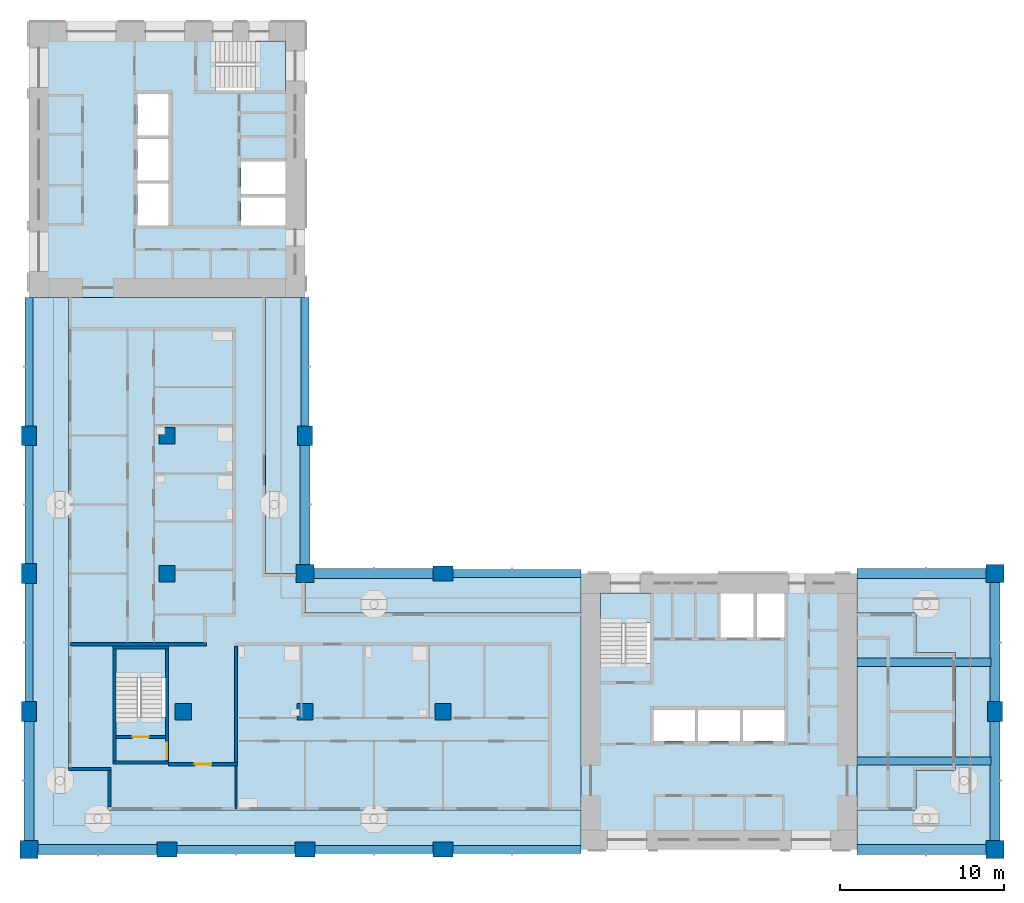
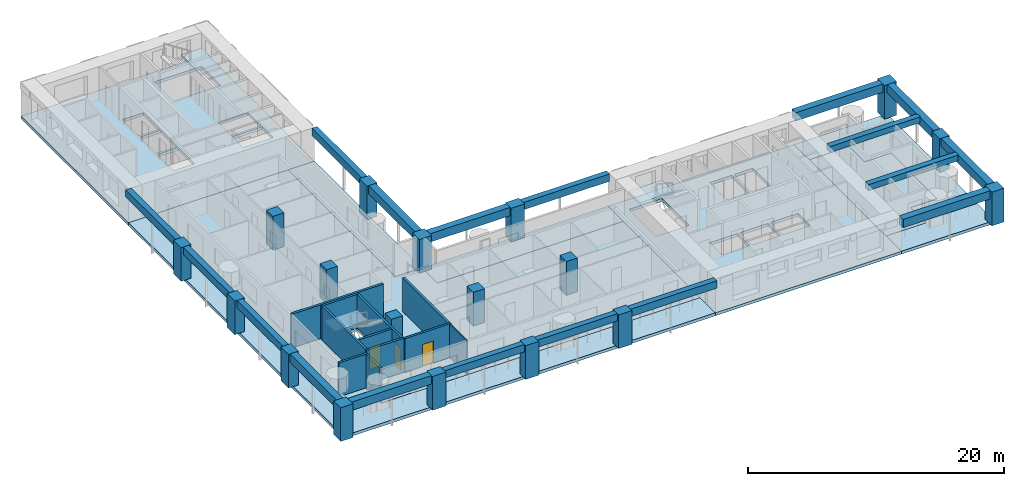
# One storey, part 1 of 13: 18 beams, 18 columns, 12 slabs, 11 walls, 3 doors, 3 openings, 3 elements without a shape of their own.
"""IFC4 building model written with IfcOpenShell, lengths in metres."""

import ifcopenshell
import ifcopenshell.guid

model = None  # the IFC model being written
_history = None  # IfcOwnerHistory: only IFC2X3 demands one
_inside = {}  # id of a spatial element -> (the spatial element, [elements in it])
_under = {}  # id of a project, library or spatial element -> (it, [spatial elements below it])
_declared = {}  # id of a project -> (the project, [libraries it declares])
_typed = {}  # id of a type object -> (the type object, [elements of that type])
_made_of = {}  # id of a material, layer set ... -> (it, [elements and type objects made of it])


def new_model(schema):
    """Start an empty IFC model of exactly this schema.

    Asked for "IFC4X3", IfcOpenShell would pick the latest addendum, in which some entities
    have other attributes; the version numbers below select the first issue.
    IFC2X3 requires an IfcOwnerHistory on every rooted entity: one is made here for all.
    """
    global model, _history
    if schema == "IFC4X3":
        model = ifcopenshell.file(schema_version=(4, 3, 0, 0))
    else:
        model = ifcopenshell.file(schema=schema)
    _inside.clear()
    _under.clear()
    _declared.clear()
    _typed.clear()
    _made_of.clear()
    _history = None
    if model.schema == "IFC2X3":
        org = make("IfcOrganization", Name="unknown")
        user = make(
            "IfcPersonAndOrganization",
            ThePerson=make("IfcPerson", FamilyName="unknown"),
            TheOrganization=org,
        )
        app = make(
            "IfcApplication",
            ApplicationDeveloper=org,
            Version="unknown",
            ApplicationFullName="unknown",
            ApplicationIdentifier="unknown",
        )
        _history = make(
            "IfcOwnerHistory",
            OwningUser=user,
            OwningApplication=app,
            ChangeAction="ADDED",
            CreationDate=0,
        )
    return model


def make(cls, **values):
    """One entity of the class cls with the attributes given. An attribute that is None is left unset."""
    return model.create_entity(
        cls, **{name: value for name, value in values.items() if value is not None}
    )


def rooted(cls, **values):
    """An entity with a GlobalId (a new one), such as an element, a storey or a relation."""
    return make(cls, GlobalId=ifcopenshell.guid.new(), OwnerHistory=_history, **values)


def si_unit(unit_type, name, prefix=None):
    """IfcSIUnit, for example si_unit("LENGTHUNIT", "METRE", prefix="MILLI")."""
    return make("IfcSIUnit", UnitType=unit_type, Prefix=prefix, Name=name)


def assignment(units):
    """IfcUnitAssignment: the units of a project."""
    return None if units is None else make("IfcUnitAssignment", Units=units)


def point(xyz):
    """IfcCartesianPoint."""
    return None if xyz is None else make("IfcCartesianPoint", Coordinates=xyz)


def direction(xyz):
    """IfcDirection."""
    return None if xyz is None else make("IfcDirection", DirectionRatios=xyz)


def frame(location, z_axis=None, x_axis=None):
    """IfcAxis2Placement3D, a coordinate frame: its origin and axes. An axis left out is left unset."""
    return make(
        "IfcAxis2Placement3D",
        Location=point(location),
        Axis=direction(z_axis),
        RefDirection=direction(x_axis),
    )


def frame_2d(location, x_axis=None):
    """IfcAxis2Placement2D, a coordinate frame in the plane: its origin and x axis."""
    return make(
        "IfcAxis2Placement2D", Location=point(location), RefDirection=direction(x_axis)
    )


def origin():
    """The frame at (0, 0, 0) with its axes left unset."""
    return frame((0.0, 0.0, 0.0))


def origin_2d():
    """The frame at (0, 0) in the plane with its x axis left unset."""
    return frame_2d((0.0, 0.0))


def place(relative_to, where):
    """IfcLocalPlacement: puts the frame where relative to a parent placement (None: the world)."""
    return make(
        "IfcLocalPlacement", PlacementRelTo=relative_to, RelativePlacement=where
    )


def context(
    kind, dimensions, precision=None, world=None, true_north=None, identifier=None
):
    """IfcGeometricRepresentationContext, for example the 3D "Model" context."""
    return make(
        "IfcGeometricRepresentationContext",
        ContextIdentifier=identifier,
        ContextType=kind,
        CoordinateSpaceDimension=dimensions,
        Precision=precision,
        WorldCoordinateSystem=world,
        TrueNorth=true_north,
    )


def subcontext(parent, identifier, kind, view, scale=None):
    """IfcGeometricRepresentationSubContext, for example "Body" below "Model"."""
    return make(
        "IfcGeometricRepresentationSubContext",
        ContextIdentifier=identifier,
        ContextType=kind,
        ParentContext=parent,
        TargetScale=scale,
        TargetView=view,
    )


def project(units=None, contexts=None):
    """IfcProject with its units and contexts."""
    return rooted(
        "IfcProject",
        Name="project",
        RepresentationContexts=contexts,
        UnitsInContext=assignment(units),
    )


def spatial(cls, under=None, at=None, **own):
    """A site, building, storey or space (cls), placed at a placement, below another one or the project."""
    s = rooted(cls, ObjectPlacement=at, **own)
    if under is not None:
        _under.setdefault(under.id(), (under, []))[1].append(s)
    return s


def polyline(points):
    """IfcPolyline through the points."""
    return make("IfcPolyline", Points=[point(p) for p in points])


def profile(cls, at=None, kind="AREA", **sizes):
    """A parametric profile (cls). Its sizes go by their IFC names, for example OverallWidth=200.0."""
    return make(cls, ProfileType=kind, Position=at, **sizes)


def rectangle(**sizes):
    """IfcRectangleProfileDef."""
    return profile("IfcRectangleProfileDef", **sizes)


def outline(outer, holes=None, kind="AREA"):
    """IfcArbitraryClosedProfileDef: a profile drawn as a closed curve; with holes, ...WithVoids."""
    if holes is None:
        return make("IfcArbitraryClosedProfileDef", ProfileType=kind, OuterCurve=outer)
    return make(
        "IfcArbitraryProfileDefWithVoids",
        ProfileType=kind,
        OuterCurve=outer,
        InnerCurves=holes,
    )


def extrude(swept, where, along, depth):
    """IfcExtrudedAreaSolid: the profile swept, set in the frame where, extruded along a direction by depth."""
    return make(
        "IfcExtrudedAreaSolid",
        SweptArea=swept,
        Position=where,
        ExtrudedDirection=direction(along),
        Depth=depth,
    )


def shape(context_of_items, identifier, shape_type, items):
    """IfcShapeRepresentation: the items that make up one representation, for example the "Body"."""
    return make(
        "IfcShapeRepresentation",
        ContextOfItems=context_of_items,
        RepresentationIdentifier=identifier,
        RepresentationType=shape_type,
        Items=items,
    )


def material(Name=None, Category=None):
    """IfcMaterial."""
    return make("IfcMaterial", Name=Name, Category=Category)


def layer(
    of_material, thickness, ventilated=None, Name=None, Category=None, Priority=None
):
    """IfcMaterialLayer: one layer of a wall or slab, of a material (None: an air gap)."""
    return make(
        "IfcMaterialLayer",
        Material=of_material,
        LayerThickness=thickness,
        IsVentilated=ventilated,
        Name=Name,
        Category=Category,
        Priority=Priority,
    )


def layer_set(layers, Name=None):
    """IfcMaterialLayerSet."""
    return make("IfcMaterialLayerSet", MaterialLayers=layers, LayerSetName=Name)


def material_profile(
    of_material, cross_section, Name=None, Category=None, Priority=None
):
    """IfcMaterialProfile: a cross section and its material."""
    return make(
        "IfcMaterialProfile",
        Name=Name,
        Material=of_material,
        Profile=cross_section,
        Priority=Priority,
        Category=Category,
    )


def profile_set(profiles, Name=None, composite=None):
    """IfcMaterialProfileSet."""
    return make(
        "IfcMaterialProfileSet",
        Name=Name,
        MaterialProfiles=profiles,
        CompositeProfile=composite,
    )


def made_of(thing, what):
    """Note that an element or type object is made of a material, layer set ...; save() writes the relation."""
    if what is not None:
        _made_of.setdefault(what.id(), (what, []))[1].append(thing)
    return thing


def type_object(cls, material=None, **own):
    """A type object (cls), such as IfcWallType, which elements share."""
    return made_of(rooted(cls, **own), material)


def element(
    cls,
    number,
    at=None,
    inside=None,
    cuts=None,
    type_object=None,
    material=None,
    context=None,
    identifier="Body",
    shape_type=None,
    held_by="IfcProductDefinitionShape",
    body=None,
    shapes=None,
    **own,
):
    """One element of the class cls, such as IfcWall. Its Tag is "e" and its number.

    at: its placement. inside: the storey or other place that contains it. cuts: it is an
    opening in that element (IfcRelVoidsElement). A single representation is given by context,
    identifier, shape_type and body (its items); several are given by shapes. held_by: the class
    of the entity that holds the representations. save() writes the other relations.
    """
    e = rooted(cls, Tag="e%d" % number, ObjectPlacement=at, **own)
    if body is not None:
        shapes = [shape(context, identifier, shape_type, body)]
    if shapes is not None:
        e.Representation = make(held_by, Representations=shapes)
    if inside is not None:
        _inside.setdefault(inside.id(), (inside, []))[1].append(e)
    if cuts is not None:
        rooted(
            "IfcRelVoidsElement", RelatingBuildingElement=cuts, RelatedOpeningElement=e
        )
    if type_object is not None:
        _typed.setdefault(type_object.id(), (type_object, []))[1].append(e)
    return made_of(e, material)


def fill(opening, filler):
    """IfcRelFillsElement: the door or window that sits in an opening."""
    return rooted(
        "IfcRelFillsElement",
        RelatingOpeningElement=opening,
        RelatedBuildingElement=filler,
    )


def aggregate(whole, parts):
    """IfcRelAggregates: a whole, such as a stair, and the parts it consists of."""
    return rooted("IfcRelAggregates", RelatingObject=whole, RelatedObjects=parts)


def save(model, path):
    """Write the relations noted so far, then the file.

    IfcRelAggregates (storeys below a building ...), IfcRelContainedInSpatialStructure (elements
    in a storey), IfcRelDefinesByType, IfcRelAssociatesMaterial and IfcRelDeclares: one each for
    every whole, place, type object, material and project.
    """
    for whole, parts in _under.values():
        aggregate(whole, parts)
    for where, things in _inside.values():
        rooted(
            "IfcRelContainedInSpatialStructure",
            RelatedElements=things,
            RelatingStructure=where,
        )
    for kind, things in _typed.values():
        rooted("IfcRelDefinesByType", RelatedObjects=things, RelatingType=kind)
    for what, things in _made_of.values():
        rooted("IfcRelAssociatesMaterial", RelatedObjects=things, RelatingMaterial=what)
    for by, libraries in _declared.values():
        rooted("IfcRelDeclares", RelatingContext=by, RelatedDefinitions=libraries)
    model.write(path)


model = new_model("IFC4")

# Units and contexts
model_context = context("Model", 3, precision=1e-05, world=origin(), true_north=direction((0.0, 1.0)))
body_context = subcontext(model_context, "Body", "Model", "MODEL_VIEW")
ifc_project = project(units=[si_unit("LENGTHUNIT", "METRE"), si_unit("AREAUNIT", "SQUARE_METRE"), si_unit("VOLUMEUNIT", "CUBIC_METRE"), si_unit("PLANEANGLEUNIT", "RADIAN"), si_unit("MASSUNIT", "GRAM", prefix="KILO")], contexts=[model_context])

# Site, building, storey
site_placement = place(None, origin())
site = spatial("IfcSite", under=ifc_project, at=site_placement, CompositionType="ELEMENT")
building_placement = place(site_placement, origin())
building = spatial("IfcBuilding", under=site, at=building_placement, Name="Vermilion Gate Residences", CompositionType="ELEMENT")
storey_placement = place(building_placement, frame((0.0, 0.0, 158.199951171875)))
storey = spatial("IfcBuildingStorey", under=building, at=storey_placement, Name="L40", CompositionType="ELEMENT", Elevation=158.199951171875)

# Columns
ifc_material_1 = material(Name="Concrete C60", Category="concrete")
ifc_material_profile_1 = material_profile(ifc_material_1, rectangle(XDim=1.0, YDim=1.0, at=origin_2d()), Name="RC-1000x1000")
ifc_profile_set_1 = profile_set([ifc_material_profile_1], Name="Concrete C60")
column_type_1 = type_object("IfcColumnType", Name="RC COLUMN 1000 X 1000 C60", PredefinedType="COLUMN", material=ifc_profile_set_1)
for number, where, z_axis, x_axis, name in (
    (1, (17.800048828125, 16.800048828125, 0.0), (0.0, 0.0, 1.0), (1.0, 0.0, 0.0), "Column 3-C L40"),
    (2, (16.800048828125, 25.199951171875, 0.0), (0.0, 0.0, 1.0), (1.0, 0.0, 0.0), "Column 3-D L40"),
    (3, (16.800048828125, 33.60009765625, 0.0), (0.0, 0.0, 1.0), (1.0, 0.0, 0.0), "Column 3-E L40"),
    (4, (25.199951171875, 16.800048828125, 0.0), (0.0, 0.0, 1.0), (1.0, 0.0, 0.0), "Column 4-C L40"),
    (5, (33.60009765625, 16.800048828125, 0.0), (0.0, 0.0, 1.0), (1.0, 0.0, 0.0), "Column 5-C L40"),
):
    element("IfcColumn", number, at=place(storey_placement, frame(where, z_axis=z_axis, x_axis=x_axis)), inside=storey, type_object=column_type_1, Name=name, PredefinedType="COLUMN", context=body_context, shape_type="SweptSolid", body=[
        extrude(rectangle(XDim=1.0, YDim=1.0, at=origin_2d()), origin(), (0.0, 0.0, 1.0), 3.219970703125),
    ])
ifc_material_2 = material(Name="Concrete C60", Category="concrete")
ifc_material_profile_2 = material_profile(ifc_material_2, rectangle(XDim=1.10009765625, YDim=1.10009765625, at=origin_2d()), Name="RC-1100x1100")
ifc_profile_set_2 = profile_set([ifc_material_profile_2], Name="Concrete C60")
column_type_2 = type_object("IfcColumnType", Name="RC COLUMN 1100 X 1100 C60", PredefinedType="COLUMN", material=ifc_profile_set_2)
for number, where, z_axis, x_axis, name in (
    (6, (8.39990234375, 8.39990234375, 0.0), (0.0, 0.0, 1.0), (1.0, 0.0, 0.0), "Column 2-B L40"),
    (7, (25.199951171875, 25.199951171875, 0.0), (0.0, 0.0, 1.0), (1.0, 0.0, 0.0), "Column 4-D L40"),
    (8, (67.199951171875, 8.39990234375, 0.0), (0.0, 0.0, 1.0), (1.0, 0.0, 0.0), "Column 9-B L40"),
    (9, (67.199951171875, 25.199951171875, 0.0), (0.0, 0.0, 1.0), (1.0, 0.0, 0.0), "Column 9-D L40"),
):
    element("IfcColumn", number, at=place(storey_placement, frame(where, z_axis=z_axis, x_axis=x_axis)), inside=storey, type_object=column_type_2, Name=name, PredefinedType="COLUMN", context=body_context, shape_type="SweptSolid", body=[
        extrude(rectangle(XDim=1.10009765625, YDim=1.10009765625, at=origin_2d()), origin(), (0.0, 0.0, 1.0), 3.219970703125),
    ])
ifc_material_3 = material(Name="Concrete C60", Category="concrete")
ifc_material_profile_3 = material_profile(ifc_material_3, rectangle(XDim=1.199951171875, YDim=0.89990234375, at=origin_2d()), Name="RC-1200x900")
ifc_profile_set_3 = profile_set([ifc_material_profile_3], Name="Concrete C60")
column_type_3 = type_object("IfcColumnType", Name="RC COLUMN 1200 X 900 C60", PredefinedType="COLUMN", material=ifc_profile_set_3)
for number, where, z_axis, x_axis, name in (
    (10, (8.39990234375, 16.800048828125, 0.0), (0.0, 0.0, 1.0), (0.0, 1.0, 0.0), "Column 2-C L40"),
    (11, (8.39990234375, 25.199951171875, 0.0), (0.0, 0.0, 1.0), (0.0, 1.0, 0.0), "Column 2-D L40"),
    (12, (8.39990234375, 33.60009765625, 0.0), (0.0, 0.0, 1.0), (0.0, 1.0, 0.0), "Column 2-E L40"),
    (13, (16.800048828125, 8.39990234375, 0.0), (0.0, 0.0, 1.0), (1.0, 0.0, 0.0), "Column 3-B L40"),
    (14, (25.199951171875, 8.39990234375, 0.0), (0.0, 0.0, 1.0), (1.0, 0.0, 0.0), "Column 4-B L40"),
    (15, (25.199951171875, 33.60009765625, 0.0), (0.0, 0.0, 1.0), (0.0, 1.0, 0.0), "Column 4-E L40"),
    (16, (33.60009765625, 8.39990234375, 0.0), (0.0, 0.0, 1.0), (1.0, 0.0, 0.0), "Column 5-B L40"),
    (17, (33.60009765625, 25.199951171875, 0.0), (0.0, 0.0, 1.0), (1.0, 0.0, 0.0), "Column 5-D L40"),
    (18, (67.199951171875, 16.800048828125, 0.0), (0.0, 0.0, 1.0), (0.0, 1.0, 0.0), "Column 9-C L40"),
):
    element("IfcColumn", number, at=place(storey_placement, frame(where, z_axis=z_axis, x_axis=x_axis)), inside=storey, type_object=column_type_3, Name=name, PredefinedType="COLUMN", context=body_context, shape_type="SweptSolid", body=[
        extrude(rectangle(XDim=1.199951171875, YDim=0.89990234375, at=origin_2d()), origin(), (0.0, 0.0, 1.0), 3.219970703125),
    ])

# Beams
ifc_material_4 = material(Name="Concrete C60 red-oxide pigmented", Category="concrete")
ifc_material_profile_4 = material_profile(ifc_material_4, rectangle(XDim=0.60009765625, YDim=0.800048828125, at=origin_2d()), Name="RC-600x800")
ifc_profile_set_4 = profile_set([ifc_material_profile_4], Name="Concrete C60 red-oxide pigmented")
beam_type_1 = type_object("IfcBeamType", Name="RC CORNER EDGE BEAM 600 X 800 C60", PredefinedType="BEAM", material=ifc_profile_set_4)
for number, where, z_axis, x_axis, name in (
    (19, (8.949951171875, 8.39990234375, 2.820068359375), (1.0, 0.0, 0.0), (0.0, 1.0, 0.0), "Corner edge beam L40 1"),
    (20, (8.39990234375, 8.949951171875, 2.820068359375), (0.0, 1.0, 0.0), (-1.0, 0.0, 0.0), "Corner edge beam L40 2"),
    (21, (25.199951171875, 25.75, 2.820068359375), (0.0, 1.0, 0.0), (-1.0, 0.0, 0.0), "Corner edge beam L40 7"),
    (22, (25.75, 25.199951171875, 2.820068359375), (1.0, 0.0, 0.0), (0.0, 1.0, 0.0), "Corner edge beam L40 10"),
):
    element("IfcBeam", number, at=place(storey_placement, frame(where, z_axis=z_axis, x_axis=x_axis)), inside=storey, type_object=beam_type_1, Name=name, PredefinedType="BEAM", context=body_context, shape_type="SweptSolid", body=[
        extrude(rectangle(XDim=0.60009765625, YDim=0.800048828125, at=origin_2d()), origin(), (0.0, 0.0, 1.0), 7.25),
    ])
beam_1_placement = place(storey_placement, frame((58.800048828125, 8.39990234375, 2.820068359375), z_axis=(1.0, 0.0, 0.0), x_axis=(0.0, 1.0, 0.0)))
element("IfcBeam", 23, at=beam_1_placement, inside=storey, type_object=beam_type_1, Name="Corner edge beam L40 13", PredefinedType="BEAM", context=body_context, shape_type="SweptSolid", body=[
    extrude(rectangle(XDim=0.60009765625, YDim=0.800048828125, at=origin_2d()), origin(), (0.0, 0.0, 1.0), 7.849853515625),
])
for number, where, z_axis, x_axis, name in (
    (24, (67.199951171875, 8.949951171875, 2.820068359375), (0.0, 1.0, 0.0), (-1.0, 0.0, 0.0), "Corner edge beam L40 14"),
    (25, (67.199951171875, 17.39990234375, 2.820068359375), (0.0, 1.0, 0.0), (-1.0, 0.0, 0.0), "Corner edge beam L40 15"),
):
    element("IfcBeam", number, at=place(storey_placement, frame(where, z_axis=z_axis, x_axis=x_axis)), inside=storey, type_object=beam_type_1, Name=name, PredefinedType="BEAM", context=body_context, shape_type="SweptSolid", body=[
        extrude(rectangle(XDim=0.60009765625, YDim=0.800048828125, at=origin_2d()), origin(), (0.0, 0.0, 1.0), 7.25),
    ])
beam_2_placement = place(storey_placement, frame((58.800048828125, 25.199951171875, 2.820068359375), z_axis=(1.0, 0.0, 0.0), x_axis=(0.0, 1.0, 0.0)))
element("IfcBeam", 26, at=beam_2_placement, inside=storey, type_object=beam_type_1, Name="Corner edge beam L40 16", PredefinedType="BEAM", context=body_context, shape_type="SweptSolid", body=[
    extrude(rectangle(XDim=0.60009765625, YDim=0.800048828125, at=origin_2d()), origin(), (0.0, 0.0, 1.0), 7.849853515625),
])
ifc_material_5 = material(Name="Concrete C60 red-oxide pigmented", Category="concrete")
ifc_material_profile_5 = material_profile(ifc_material_5, rectangle(XDim=0.5, YDim=0.699951171875, at=origin_2d()), Name="RC-500x700")
ifc_profile_set_5 = profile_set([ifc_material_profile_5], Name="Concrete C60 red-oxide pigmented")
beam_type_2 = type_object("IfcBeamType", Name="RC EDGE BEAM 500 X 700 C60", PredefinedType="BEAM", material=ifc_profile_set_5)
beam_3_placement = place(storey_placement, frame((8.39990234375, 17.39990234375, 2.8701171875), z_axis=(0.0, 1.0, 0.0), x_axis=(-1.0, 0.0, 0.0)))
element("IfcBeam", 27, at=beam_3_placement, inside=storey, type_object=beam_type_2, Name="Edge beam L40 3", PredefinedType="BEAM", context=body_context, shape_type="SweptSolid", body=[
    extrude(rectangle(XDim=0.5, YDim=0.699951171875, at=origin_2d()), origin(), (0.0, 0.0, 1.0), 7.2001953125),
])
beam_4_placement = place(storey_placement, frame((8.39990234375, 25.800048828125, 2.8701171875), z_axis=(0.0, 1.0, 0.0), x_axis=(-1.0, 0.0, 0.0)))
element("IfcBeam", 28, at=beam_4_placement, inside=storey, type_object=beam_type_2, Name="Edge beam L40 4", PredefinedType="BEAM", context=body_context, shape_type="SweptSolid", body=[
    extrude(rectangle(XDim=0.5, YDim=0.699951171875, at=origin_2d()), origin(), (0.0, 0.0, 1.0), 7.199951171875),
])
beam_5_placement = place(storey_placement, frame((8.39990234375, 34.199951171875, 2.8701171875), z_axis=(0.0, 1.0, 0.0), x_axis=(-1.0, 0.0, 0.0)))
element("IfcBeam", 29, at=beam_5_placement, inside=storey, type_object=beam_type_2, Name="Edge beam L40 5", PredefinedType="BEAM", context=body_context, shape_type="SweptSolid", body=[
    extrude(rectangle(XDim=0.5, YDim=0.699951171875, at=origin_2d()), origin(), (0.0, 0.0, 1.0), 7.800048828125),
])
beam_6_placement = place(storey_placement, frame((17.39990234375, 8.39990234375, 2.8701171875), z_axis=(1.0, 0.0, 0.0), x_axis=(0.0, 1.0, 0.0)))
element("IfcBeam", 30, at=beam_6_placement, inside=storey, type_object=beam_type_2, Name="Edge beam L40 6", PredefinedType="BEAM", context=body_context, shape_type="SweptSolid", body=[
    extrude(rectangle(XDim=0.5, YDim=0.699951171875, at=origin_2d()), origin(), (0.0, 0.0, 1.0), 7.2001953125),
])
beam_7_placement = place(storey_placement, frame((25.199951171875, 34.199951171875, 2.8701171875), z_axis=(0.0, 1.0, 0.0), x_axis=(-1.0, 0.0, 0.0)))
element("IfcBeam", 31, at=beam_7_placement, inside=storey, type_object=beam_type_2, Name="Edge beam L40 8", PredefinedType="BEAM", context=body_context, shape_type="SweptSolid", body=[
    extrude(rectangle(XDim=0.5, YDim=0.699951171875, at=origin_2d()), origin(), (0.0, 0.0, 1.0), 7.800048828125),
])
beam_8_placement = place(storey_placement, frame((25.800048828125, 8.39990234375, 2.8701171875), z_axis=(1.0, 0.0, 0.0), x_axis=(0.0, 1.0, 0.0)))
element("IfcBeam", 32, at=beam_8_placement, inside=storey, type_object=beam_type_2, Name="Edge beam L40 9", PredefinedType="BEAM", context=body_context, shape_type="SweptSolid", body=[
    extrude(rectangle(XDim=0.5, YDim=0.699951171875, at=origin_2d()), origin(), (0.0, 0.0, 1.0), 7.199951171875),
])
for number, where, z_axis, x_axis, name in (
    (33, (34.199951171875, 8.39990234375, 2.8701171875), (1.0, 0.0, 0.0), (0.0, 1.0, 0.0), "Edge beam L40 11"),
    (34, (34.199951171875, 25.199951171875, 2.8701171875), (1.0, 0.0, 0.0), (0.0, 1.0, 0.0), "Edge beam L40 12"),
):
    element("IfcBeam", number, at=place(storey_placement, frame(where, z_axis=z_axis, x_axis=x_axis)), inside=storey, type_object=beam_type_2, Name=name, PredefinedType="BEAM", context=body_context, shape_type="SweptSolid", body=[
        extrude(rectangle(XDim=0.5, YDim=0.699951171875, at=origin_2d()), origin(), (0.0, 0.0, 1.0), 7.800048828125),
    ])
ifc_material_6 = material(Name="Concrete C60", Category="concrete")
ifc_material_profile_6 = material_profile(ifc_material_6, rectangle(XDim=0.5, YDim=0.550048828125, at=origin_2d()), Name="RC-500x550")
ifc_profile_set_6 = profile_set([ifc_material_profile_6], Name="Concrete C60")
beam_type_3 = type_object("IfcBeamType", Name="RC WING BEAM 500 X 550 C60", PredefinedType="BEAM", material=ifc_profile_set_6)
for number, where, z_axis, x_axis, name in (
    (35, (58.800048828125, 13.800048828125, 2.945068359375), (1.0, 0.0, 0.0), (0.0, 1.0, 0.0), "Wing-end beam L40 1"),
    (36, (58.800048828125, 19.800048828125, 2.945068359375), (1.0, 0.0, 0.0), (0.0, 1.0, 0.0), "Wing-end beam L40 2"),
):
    element("IfcBeam", number, at=place(storey_placement, frame(where, z_axis=z_axis, x_axis=x_axis)), inside=storey, type_object=beam_type_3, Name=name, PredefinedType="BEAM", context=body_context, shape_type="SweptSolid", body=[
        extrude(rectangle(XDim=0.5, YDim=0.550048828125, at=origin_2d()), origin(), (0.0, 0.0, 1.0), 8.14990234375),
    ])

# Slabs
ifc_material_7 = material(Name="Concrete C50", Category="concrete")
ifc_layer_1 = layer(ifc_material_7, 0.280029296875)
ifc_layer_set_1 = layer_set([ifc_layer_1], Name="RC CORE FLOOR SLAB 280 C50")
slab_type_1 = type_object("IfcSlabType", Name="RC CORE FLOOR SLAB 280 C50", PredefinedType="FLOOR", material=ifc_layer_set_1)
slab_1_placement = place(storey_placement, frame((0.0, 0.0, -0.280029296875)))
element("IfcSlab", 37, at=slab_1_placement, inside=storey, type_object=slab_type_1, Name="Core floor slab A40", PredefinedType="FLOOR", context=body_context, shape_type="SweptSolid", body=[
    extrude(outline(polyline([(42.0, 8.39990234375), (58.800048828125, 8.39990234375), (58.800048828125, 25.199951171875), (42.0, 25.199951171875), (42.0, 8.39990234375)]), holes=[polyline([(46.39990234375, 15.0), (46.39990234375, 16.89990234375), (48.933349609375, 16.89990234375), (48.933349609375, 15.0), (46.39990234375, 15.0)]), polyline([(49.13330078125, 16.89990234375), (51.666748046875, 16.89990234375), (51.666748046875, 15.0), (49.13330078125, 15.0), (49.13330078125, 16.89990234375)]), polyline([(51.86669921875, 16.89990234375), (54.39990234375, 16.89990234375), (54.39990234375, 15.0), (51.86669921875, 15.0), (51.86669921875, 16.89990234375)]), polyline([(43.199951171875, 19.75), (43.199951171875, 24.0), (46.199951171875, 24.0), (46.199951171875, 19.75), (43.199951171875, 19.75)]), polyline([(50.5, 24.0), (52.5, 24.0), (52.5, 21.300048828125), (50.5, 21.300048828125), (50.5, 24.0)]), polyline([(52.699951171875, 24.0), (54.39990234375, 24.0), (54.39990234375, 21.300048828125), (52.699951171875, 21.300048828125), (52.699951171875, 24.0)])]), origin(), (0.0, 0.0, 1.0), 0.280029296875),
])
slab_2_placement = place(storey_placement, frame((0.0, 0.0, -0.280029296875)))
element("IfcSlab", 38, at=slab_2_placement, inside=storey, type_object=slab_type_1, Name="Core floor slab B40", PredefinedType="FLOOR", context=body_context, shape_type="SweptSolid", body=[
    extrude(outline(polyline([(8.39990234375, 42.0), (25.199951171875, 42.0), (25.199951171875, 58.800048828125), (8.39990234375, 58.800048828125), (8.39990234375, 42.0)]), holes=[polyline([(21.300048828125, 46.39990234375), (21.300048828125, 48.10009765625), (24.0, 48.10009765625), (24.0, 46.39990234375), (21.300048828125, 46.39990234375)]), polyline([(15.0, 48.933349609375), (16.89990234375, 48.933349609375), (16.89990234375, 46.39990234375), (15.0, 46.39990234375), (15.0, 48.933349609375)]), polyline([(21.300048828125, 50.300048828125), (24.0, 50.300048828125), (24.0, 48.300048828125), (21.300048828125, 48.300048828125), (21.300048828125, 50.300048828125)]), polyline([(15.0, 49.13330078125), (15.0, 51.666748046875), (16.89990234375, 51.666748046875), (16.89990234375, 49.13330078125), (15.0, 49.13330078125)]), polyline([(15.0, 54.39990234375), (16.89990234375, 54.39990234375), (16.89990234375, 51.86669921875), (15.0, 51.86669921875), (15.0, 54.39990234375)]), polyline([(19.75, 57.60009765625), (24.0, 57.60009765625), (24.0, 54.60009765625), (19.75, 54.60009765625), (19.75, 57.60009765625)])]), origin(), (0.0, 0.0, 1.0), 0.280029296875),
])
slab_3_placement = place(storey_placement, frame((0.0, 0.0, -0.280029296875)))
element("IfcSlab", 39, at=slab_3_placement, inside=storey, type_object=slab_type_1, Name="Apex stair floor slab 40", PredefinedType="FLOOR", context=body_context, shape_type="SweptSolid", body=[
    extrude(outline(polyline([(13.5, 13.60009765625), (16.89990234375, 13.60009765625), (16.89990234375, 20.800048828125), (13.5, 20.800048828125), (13.5, 13.60009765625)]), holes=[polyline([(16.699951171875, 20.60009765625), (16.699951171875, 16.449951171875), (13.699951171875, 16.449951171875), (13.699951171875, 20.60009765625), (16.699951171875, 20.60009765625)])]), origin(), (0.0, 0.0, 1.0), 0.280029296875),
])
ifc_material_8 = material(Name="Concrete C50", Category="concrete")
ifc_layer_2 = layer(ifc_material_8, 0.280029296875)
ifc_layer_set_2 = layer_set([ifc_layer_2], Name="RC FLAT PLATE 280 C50")
slab_type_2 = type_object("IfcSlabType", Name="RC FLAT PLATE 280 C50", PredefinedType="FLOOR", material=ifc_layer_set_2)
slab_4_placement = place(storey_placement, frame((0.0, 0.0, -0.280029296875)))
element("IfcSlab", 40, at=slab_4_placement, inside=storey, type_object=slab_type_2, Name="Floor slab L40", PredefinedType="FLOOR", context=body_context, shape_type="SweptSolid", body=[
    extrude(outline(polyline([(22.800048828125, 25.199951171875), (22.800048828125, 42.0), (10.800048828125, 42.0), (10.800048828125, 13.199951171875), (13.199951171875, 13.199951171875), (13.199951171875, 10.800048828125), (42.0, 10.800048828125), (42.0, 22.800048828125), (25.199951171875, 22.800048828125), (25.199951171875, 25.199951171875), (22.800048828125, 25.199951171875)]), holes=[polyline([(13.5, 13.60009765625), (13.5, 20.800048828125), (16.89990234375, 20.800048828125), (16.89990234375, 13.60009765625), (13.5, 13.60009765625)])]), origin(), (0.0, 0.0, 1.0), 0.280029296875),
])
slab_5_placement = place(storey_placement, frame((0.0, 0.0, -0.280029296875)))
element("IfcSlab", 41, at=slab_5_placement, inside=storey, type_object=slab_type_2, Name="Floor slab L40", PredefinedType="FLOOR", context=body_context, shape_type="SweptSolid", body=[
    extrude(outline(polyline([(58.800048828125, 22.800048828125), (58.800048828125, 10.800048828125), (62.39990234375, 10.800048828125), (62.39990234375, 13.199951171875), (64.800048828125, 13.199951171875), (64.800048828125, 20.39990234375), (62.39990234375, 20.39990234375), (62.39990234375, 22.800048828125), (58.800048828125, 22.800048828125)])), origin(), (0.0, 0.0, 1.0), 0.280029296875),
])
ifc_material_9 = material(Name="Concrete C50 red-oxide pigmented", Category="concrete")
ifc_layer_3 = layer(ifc_material_9, 0.280029296875)
ifc_layer_set_3 = layer_set([ifc_layer_3], Name="RC LOGGIA SLAB 280 C50")
slab_type_3 = type_object("IfcSlabType", Name="RC LOGGIA SLAB 280 C50", PredefinedType="FLOOR", material=ifc_layer_set_3)
slab_6_placement = place(storey_placement, frame((0.0, 0.0, -0.280029296875)))
element("IfcSlab", 42, at=slab_6_placement, inside=storey, type_object=slab_type_3, Name="Loggia slab L40", PredefinedType="FLOOR", context=body_context, shape_type="SweptSolid", body=[
    extrude(outline(polyline([(8.39990234375, 42.0), (8.39990234375, 8.39990234375), (42.0, 8.39990234375), (42.0, 10.800048828125), (13.199951171875, 10.800048828125), (13.199951171875, 13.199951171875), (10.800048828125, 13.199951171875), (10.800048828125, 42.0), (8.39990234375, 42.0)])), origin(), (0.0, 0.0, 1.0), 0.280029296875),
])
slab_7_placement = place(storey_placement, frame((0.0, 0.0, -0.280029296875)))
element("IfcSlab", 43, at=slab_7_placement, inside=storey, type_object=slab_type_3, Name="Loggia slab L40", PredefinedType="FLOOR", context=body_context, shape_type="SweptSolid", body=[
    extrude(outline(polyline([(64.800048828125, 13.199951171875), (62.39990234375, 13.199951171875), (62.39990234375, 10.800048828125), (58.800048828125, 10.800048828125), (58.800048828125, 8.39990234375), (67.199951171875, 8.39990234375), (67.199951171875, 25.199951171875), (58.800048828125, 25.199951171875), (58.800048828125, 22.800048828125), (62.39990234375, 22.800048828125), (62.39990234375, 20.39990234375), (64.800048828125, 20.39990234375), (64.800048828125, 13.199951171875)])), origin(), (0.0, 0.0, 1.0), 0.280029296875),
])
slab_8_placement = place(storey_placement, frame((0.0, 0.0, -0.280029296875)))
element("IfcSlab", 44, at=slab_8_placement, inside=storey, type_object=slab_type_3, Name="Loggia slab L40", PredefinedType="FLOOR", context=body_context, shape_type="SweptSolid", body=[
    extrude(outline(polyline([(42.0, 25.199951171875), (25.199951171875, 25.199951171875), (25.199951171875, 22.800048828125), (42.0, 22.800048828125), (42.0, 25.199951171875)])), origin(), (0.0, 0.0, 1.0), 0.280029296875),
])
slab_9_placement = place(storey_placement, frame((0.0, 0.0, -0.280029296875)))
element("IfcSlab", 45, at=slab_9_placement, inside=storey, type_object=slab_type_3, Name="Loggia slab L40", PredefinedType="FLOOR", context=body_context, shape_type="SweptSolid", body=[
    extrude(outline(polyline([(22.800048828125, 42.0), (22.800048828125, 25.199951171875), (25.199951171875, 25.199951171875), (25.199951171875, 42.0), (22.800048828125, 42.0)])), origin(), (0.0, 0.0, 1.0), 0.280029296875),
])

# Stair, slab
ifc_material_10 = material(Name="Concrete C50", Category="concrete")
stair_type = type_object("IfcStairType", Name="SPECIAL ESCAPE STAIR 1300", PredefinedType="HALF_TURN_STAIR", material=ifc_material_10)
stair_1_placement = place(storey_placement, origin())
stair_1 = element("IfcStair", 46, at=stair_1_placement, inside=storey, type_object=stair_type, Name="Special escape stair STA1-40", PredefinedType="HALF_TURN_STAIR")
ifc_material_11 = material(Name="Concrete C50", Category="concrete")
ifc_layer_4 = layer(ifc_material_11, 0.199951171875)
ifc_layer_set_4 = layer_set([ifc_layer_4], Name="STAIR LANDING 200 C50")
slab_type_4 = type_object("IfcSlabType", Name="STAIR LANDING 200 C50", PredefinedType="LANDING", material=ifc_layer_set_4)
slab_10_placement = place(storey_placement, frame((0.0, 0.0, 1.550048828125)))
slab_10 = element("IfcSlab", 47, at=slab_10_placement, type_object=slab_type_4, Name="STA1-40 landing 1", PredefinedType="LANDING", context=body_context, shape_type="SweptSolid", body=[
    extrude(outline(polyline([(46.219970703125, 22.179931640625), (46.219970703125, 24.02001953125), (43.179931640625, 24.02001953125), (43.179931640625, 22.179931640625), (46.219970703125, 22.179931640625)])), origin(), (0.0, 0.0, 1.0), 0.199951171875),
])
aggregate(stair_1, [slab_10])

stair_2_placement = place(storey_placement, origin())
stair_2 = element("IfcStair", 48, at=stair_2_placement, inside=storey, type_object=stair_type, Name="Special escape stair STB1-40", PredefinedType="HALF_TURN_STAIR")
slab_11_placement = place(storey_placement, frame((0.0, 0.0, 1.550048828125)))
slab_11 = element("IfcSlab", 49, at=slab_11_placement, type_object=slab_type_4, Name="STB1-40 landing 1", PredefinedType="LANDING", context=body_context, shape_type="SweptSolid", body=[
    extrude(outline(polyline([(24.02001953125, 54.580078125), (24.02001953125, 57.6201171875), (22.179931640625, 57.6201171875), (22.179931640625, 54.580078125), (24.02001953125, 54.580078125)])), origin(), (0.0, 0.0, 1.0), 0.199951171875),
])
aggregate(stair_2, [slab_11])

stair_3_placement = place(storey_placement, origin())
stair_3 = element("IfcStair", 50, at=stair_3_placement, inside=storey, type_object=stair_type, Name="Special escape stair STC1-40", PredefinedType="HALF_TURN_STAIR")
slab_12_placement = place(storey_placement, frame((0.0, 0.0, 1.550048828125)))
slab_12 = element("IfcSlab", 51, at=slab_12_placement, type_object=slab_type_4, Name="STC1-40 landing 1", PredefinedType="LANDING", context=body_context, shape_type="SweptSolid", body=[
    extrude(outline(polyline([(16.719970703125, 18.8798828125), (16.719970703125, 20.6201171875), (13.679931640625, 20.6201171875), (13.679931640625, 18.8798828125), (16.719970703125, 18.8798828125)])), origin(), (0.0, 0.0, 1.0), 0.199951171875),
])
aggregate(stair_3, [slab_12])

# Walls
ifc_material_12 = material(Name="Insulated steel stud wall with terracotta rainscreen", Category="masonry")
ifc_layer_5 = layer(ifc_material_12, 0.199951171875)
ifc_layer_set_5 = layer_set([ifc_layer_5], Name="EXTERNAL WALL 200 TERRACOTTA RAINSCREEN")
wall_type_1 = type_object("IfcWallType", Name="EXTERNAL WALL 200 TERRACOTTA RAINSCREEN", PredefinedType="SOLIDWALL", material=ifc_layer_set_5)
wall_1_placement = place(storey_placement, frame((10.800048828125, 13.300048828125, 0.0), z_axis=(0.0, 0.0, 1.0), x_axis=(1.0, 0.0, 0.0)))
element("IfcWall", 52, at=wall_1_placement, inside=storey, type_object=wall_type_1, Name="External wall", PredefinedType="SOLIDWALL", context=body_context, shape_type="SweptSolid", body=[
    extrude(rectangle(XDim=2.599853515625, YDim=0.199951171875, at=frame_2d((1.2998046875, 0.0))), origin(), (0.0, 0.0, 1.0), 3.219970703125),
])
wall_2_placement = place(storey_placement, frame((13.300048828125, 13.199951171875, 0.0), z_axis=(0.0, 0.0, 1.0), x_axis=(0.0, -1.0, 0.0)))
element("IfcWall", 53, at=wall_2_placement, inside=storey, type_object=wall_type_1, Name="External wall", PredefinedType="SOLIDWALL", context=body_context, shape_type="SweptSolid", body=[
    extrude(rectangle(XDim=2.199951171875, YDim=0.199951171875, at=frame_2d((1.10009765625, 0.0))), origin(), (0.0, 0.0, 1.0), 3.219970703125),
])
ifc_material_13 = material(Name="Plasterboard on steel studs", Category="steel")
ifc_layer_6 = layer(ifc_material_13, 0.10009765625)
ifc_layer_set_6 = layer_set([ifc_layer_6], Name="PARTITION 100")
wall_type_2 = type_object("IfcWallType", Name="PARTITION 100", PredefinedType="PARTITIONING", material=ifc_layer_set_6)
wall_3_placement = place(storey_placement, frame((21.0, 10.89990234375, 0.0), z_axis=(0.0, 0.0, 1.0), x_axis=(0.0, 1.0, 0.0)))
element("IfcWall", 54, at=wall_3_placement, inside=storey, type_object=wall_type_2, Name="Partition", PredefinedType="PARTITIONING", context=body_context, shape_type="SweptSolid", body=[
    extrude(rectangle(XDim=2.60009765625, YDim=0.10009765625, at=frame_2d((1.300048828125, 0.0))), origin(), (0.0, 0.0, 1.0), 3.219970703125),
])

# Wall, opening, door
ifc_material_14 = material(Name="Fire-rated plasterboard on steel studs", Category="steel")
ifc_layer_7 = layer(ifc_material_14, 0.199951171875)
ifc_layer_set_7 = layer_set([ifc_layer_7], Name="PARTY WALL 200 EI 120")
wall_type_3 = type_object("IfcWallType", Name="PARTY WALL 200 EI 120", PredefinedType="PARTITIONING", material=ifc_layer_set_7)
wall_4_placement = place(storey_placement, frame((16.89990234375, 13.60009765625, 0.0), z_axis=(0.0, 0.0, 1.0), x_axis=(1.0, 0.0, 0.0)))
wall_4 = element("IfcWall", 55, at=wall_4_placement, inside=storey, type_object=wall_type_3, Name="Party and corridor wall", PredefinedType="PARTITIONING", context=body_context, shape_type="SweptSolid", body=[
    extrude(rectangle(XDim=4.2001953125, YDim=0.199951171875, at=frame_2d((2.10009765625, 0.0))), origin(), (0.0, 0.0, 1.0), 3.219970703125),
])
opening_1_placement = place(wall_4_placement, frame((1.60009765625, 0.0, 0.0)))
opening_1 = element("IfcOpeningElement", 56, at=opening_1_placement, cuts=wall_4, Name="Opening DA40001", PredefinedType="OPENING", context=body_context, shape_type="SweptSolid", body=[
    extrude(rectangle(XDim=1.0, YDim=2.10009765625, at=frame_2d((0.5, 1.050048828125))), frame((0.0, 0.10986328125, 0.0), z_axis=(0.0, -1.0, 0.0), x_axis=(1.0, 0.0, 0.0)), (0.0, 0.0, 1.0), 0.219970703125),
])
ifc_material_15 = material(Name="Steel", Category="steel")
door_type_1 = type_object("IfcDoorType", Name="ENTRANCE DOOR 1000 X 2100 FD30", OperationType="SINGLE_SWING_LEFT", PredefinedType="DOOR", material=ifc_material_15)
door_1_placement = place(opening_1_placement, frame((1.0, 0.0, 0.0), z_axis=(0.0, 0.0, 1.0), x_axis=(-1.0, 0.0, 0.0)))
door_1 = element("IfcDoor", 57, at=door_1_placement, inside=storey, type_object=door_type_1, Name="Entrance door", OperationType="SINGLE_SWING_LEFT", OverallHeight=2.10009765625, OverallWidth=1.0, PredefinedType="DOOR", context=body_context, shape_type="SweptSolid", body=[
    extrude(rectangle(XDim=1.0, YDim=2.10009765625, at=frame_2d((0.5, 1.050048828125))), frame((0.0, 0.02490234375, 0.0), z_axis=(0.0, -1.0, 0.0), x_axis=(1.0, 0.0, 0.0)), (0.0, 0.0, 1.0), 0.050048828125),
])
fill(opening_1, door_1)

# Walls
wall_5_placement = place(storey_placement, frame((10.89990234375, 20.89990234375, 0.0), z_axis=(0.0, 0.0, 1.0), x_axis=(1.0, 0.0, 0.0)))
element("IfcWall", 58, at=wall_5_placement, inside=storey, type_object=wall_type_3, Name="Party and corridor wall", PredefinedType="PARTITIONING", context=body_context, shape_type="SweptSolid", body=[
    extrude(rectangle(XDim=8.300048828125, YDim=0.199951171875, at=frame_2d((4.14990234375, 0.0))), origin(), (0.0, 0.0, 1.0), 3.219970703125),
])
wall_6_placement = place(storey_placement, frame((21.0, 13.699951171875, 0.0), z_axis=(0.0, 0.0, 1.0), x_axis=(0.0, 1.0, 0.0)))
element("IfcWall", 59, at=wall_6_placement, inside=storey, type_object=wall_type_3, Name="Party and corridor wall", PredefinedType="PARTITIONING", context=body_context, shape_type="SweptSolid", body=[
    extrude(rectangle(XDim=7.10009765625, YDim=0.199951171875, at=frame_2d((3.550048828125, 0.0))), origin(), (0.0, 0.0, 1.0), 3.219970703125),
])
ifc_material_16 = material(Name="Concrete C60", Category="concrete")
ifc_layer_8 = layer(ifc_material_16, 0.199951171875)
ifc_layer_set_8 = layer_set([ifc_layer_8], Name="RC CORE INTERNAL WALL 200 C60")
wall_type_4 = type_object("IfcWallType", Name="RC CORE INTERNAL WALL 200 C60", PredefinedType="SHEAR", material=ifc_layer_set_8)
wall_7_placement = place(storey_placement, frame((13.60009765625, 13.800048828125, 0.0), z_axis=(0.0, 0.0, 1.0), x_axis=(0.0, 1.0, 0.0)))
element("IfcWall", 60, at=wall_7_placement, inside=storey, type_object=wall_type_4, Name="Core internal wall C40-W", PredefinedType="SHEAR", context=body_context, shape_type="SweptSolid", body=[
    extrude(rectangle(XDim=6.800048828125, YDim=0.199951171875, at=frame_2d((3.39990234375, 0.0))), origin(), (0.0, 0.0, 1.0), 3.219970703125),
])

# Wall, opening, door
wall_8_placement = place(storey_placement, frame((16.800048828125, 13.800048828125, 0.0), z_axis=(0.0, 0.0, 1.0), x_axis=(0.0, 1.0, 0.0)))
wall_8 = element("IfcWall", 61, at=wall_8_placement, inside=storey, type_object=wall_type_4, Name="Core internal wall C40-E", PredefinedType="SHEAR", context=body_context, shape_type="SweptSolid", body=[
    extrude(rectangle(XDim=6.800048828125, YDim=0.199951171875, at=frame_2d((3.39990234375, 0.0))), origin(), (0.0, 0.0, 1.0), 3.219970703125),
])
opening_2_placement = place(wall_8_placement, frame((0.10009765625, 0.0, 0.0)))
opening_2 = element("IfcOpeningElement", 62, at=opening_2_placement, cuts=wall_8, Name="Opening DK40201", PredefinedType="OPENING", context=body_context, shape_type="SweptSolid", body=[
    extrude(rectangle(XDim=1.0, YDim=2.10009765625, at=frame_2d((0.5, 1.050048828125))), frame((0.0, 0.10986328125, 0.0), z_axis=(0.0, -1.0, 0.0), x_axis=(1.0, 0.0, 0.0)), (0.0, 0.0, 1.0), 0.219970703125),
])
ifc_material_17 = material(Name="Steel", Category="steel")
door_type_2 = type_object("IfcDoorType", Name="FIRE DOOR FD60 1000 X 2100", OperationType="SINGLE_SWING_LEFT", PredefinedType="DOOR", material=ifc_material_17)
door_2_placement = place(opening_2_placement, frame((1.0, 0.0, 0.0), z_axis=(0.0, 0.0, 1.0), x_axis=(-1.0, 0.0, 0.0)))
door_2 = element("IfcDoor", 63, at=door_2_placement, inside=storey, type_object=door_type_2, Name="Stair vestibule door C40", OperationType="SINGLE_SWING_RIGHT", OverallHeight=2.10009765625, OverallWidth=1.0, PredefinedType="DOOR", context=body_context, shape_type="SweptSolid", body=[
    extrude(rectangle(XDim=1.0, YDim=2.10009765625, at=frame_2d((0.5, 1.050048828125))), frame((0.0, 0.02490234375, 0.0), z_axis=(0.0, -1.0, 0.0), x_axis=(1.0, 0.0, 0.0)), (0.0, 0.0, 1.0), 0.050048828125),
])
fill(opening_2, door_2)

# Walls
for number, where, z_axis, x_axis, name in (
    (64, (13.5, 13.699951171875, 0.0), (0.0, 0.0, 1.0), (1.0, 0.0, 0.0), "Core internal wall C40-S"),
    (65, (13.5, 20.699951171875, 0.0), (0.0, 0.0, 1.0), (1.0, 0.0, 0.0), "Core internal wall C40-N"),
):
    element("IfcWall", number, at=place(storey_placement, frame(where, z_axis=z_axis, x_axis=x_axis)), inside=storey, type_object=wall_type_4, Name=name, PredefinedType="SHEAR", context=body_context, shape_type="SweptSolid", body=[
        extrude(rectangle(XDim=3.39990234375, YDim=0.199951171875, at=frame_2d((1.699951171875, 0.0))), origin(), (0.0, 0.0, 1.0), 3.219970703125),
    ])

# Wall, opening, door
wall_9_placement = place(storey_placement, frame((13.699951171875, 15.25, 0.0), z_axis=(0.0, 0.0, 1.0), x_axis=(1.0, 0.0, 0.0)))
wall_9 = element("IfcWall", 66, at=wall_9_placement, inside=storey, type_object=wall_type_4, Name="Core internal wall C40-P", PredefinedType="SHEAR", context=body_context, shape_type="SweptSolid", body=[
    extrude(rectangle(XDim=3.0, YDim=0.199951171875, at=frame_2d((1.5, 0.0))), origin(), (0.0, 0.0, 1.0), 3.219970703125),
])
opening_3_placement = place(wall_9_placement, frame((1.0, 0.0, 0.0)))
opening_3 = element("IfcOpeningElement", 67, at=opening_3_placement, cuts=wall_9, Name="Opening DK40202", PredefinedType="OPENING", context=body_context, shape_type="SweptSolid", body=[
    extrude(rectangle(XDim=1.0, YDim=2.10009765625, at=frame_2d((0.5, 1.050048828125))), frame((0.0, 0.10986328125, 0.0), z_axis=(0.0, -1.0, 0.0), x_axis=(1.0, 0.0, 0.0)), (0.0, 0.0, 1.0), 0.219970703125),
])
door_3_placement = place(opening_3_placement, origin())
door_3 = element("IfcDoor", 68, at=door_3_placement, inside=storey, type_object=door_type_2, Name="Stair door C40", OperationType="SINGLE_SWING_LEFT", OverallHeight=2.10009765625, OverallWidth=1.0, PredefinedType="DOOR", context=body_context, shape_type="SweptSolid", body=[
    extrude(rectangle(XDim=1.0, YDim=2.10009765625, at=frame_2d((0.5, 1.050048828125))), frame((0.0, 0.02490234375, 0.0), z_axis=(0.0, -1.0, 0.0), x_axis=(1.0, 0.0, 0.0)), (0.0, 0.0, 1.0), 0.050048828125),
])
fill(opening_3, door_3)

save(model, "model.ifc")
